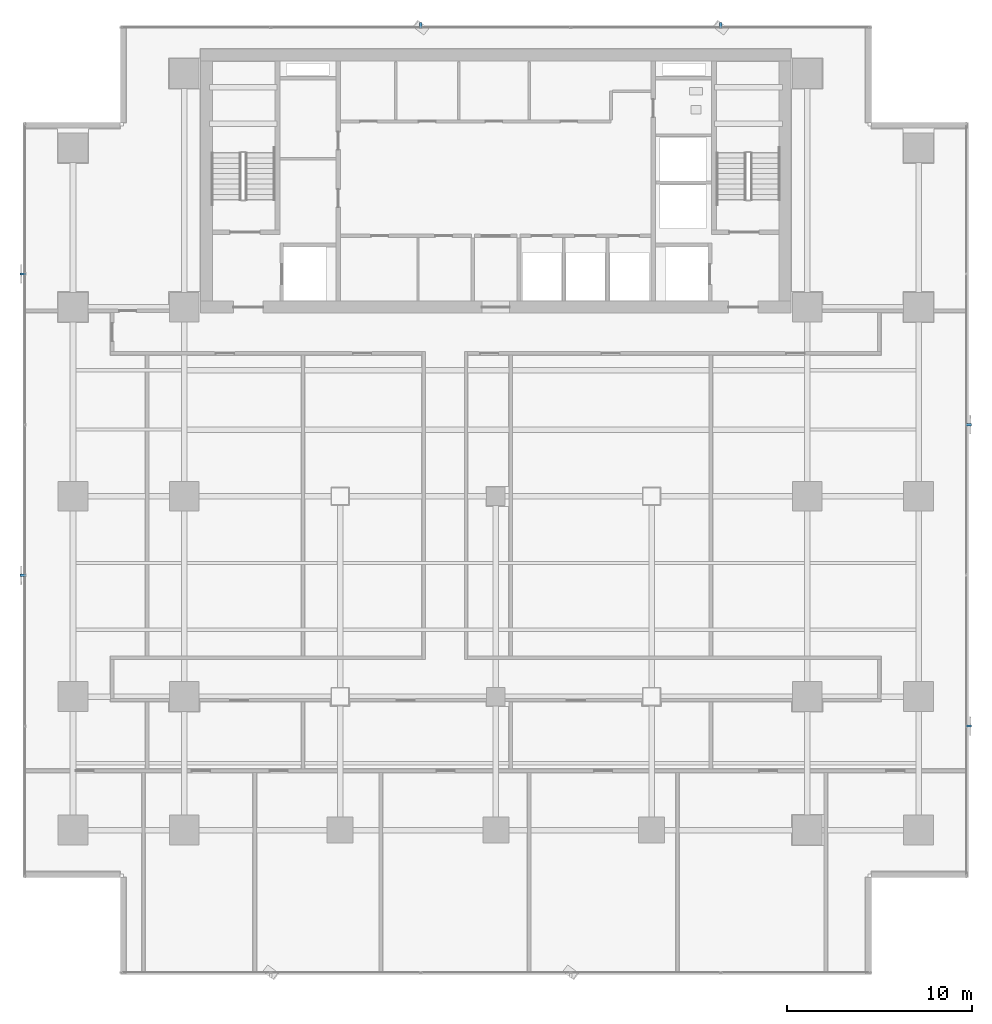
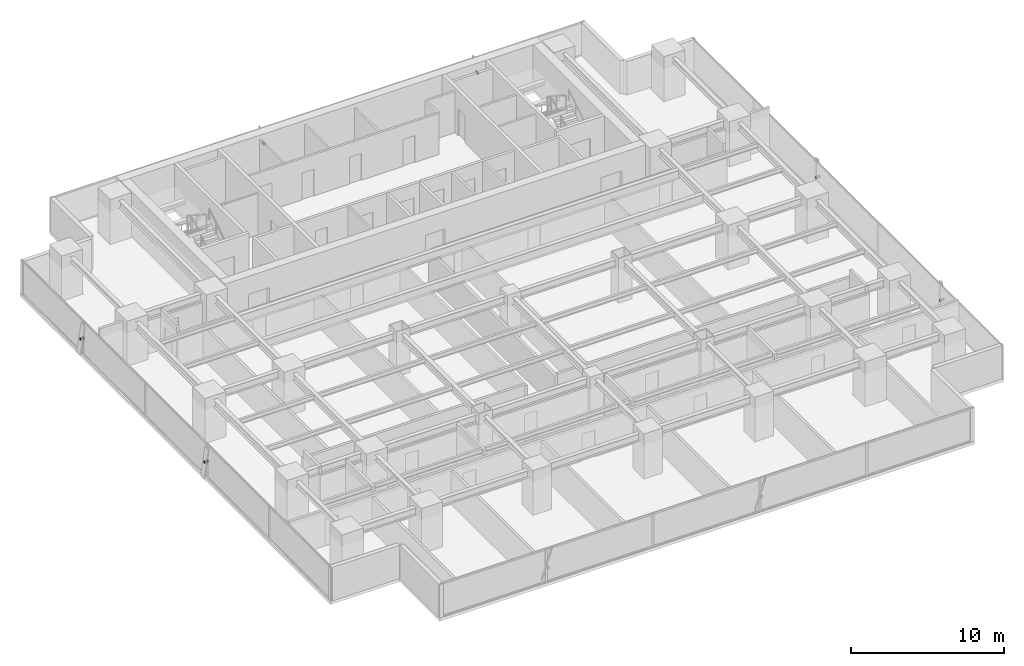
# One storey, part 31 of 36: 6 discrete accessories.
"""IFC4 building model written with IfcOpenShell, lengths in metres."""

from ifc_helpers import new_model, si_unit, direction, frame, origin, origin_2d, place, context, subcontext, project, spatial, rectangle, extrude, source, transform, mapped, material, material_profile, profile_set, type_object, element, save


model = new_model("IFC4")

# Units and contexts
model_context = context("Model", 3, precision=1e-05, world=origin(), true_north=direction((0.0, 1.0)))
body_context = subcontext(model_context, "Body", "Model", "MODEL_VIEW")
ifc_project = project(units=[si_unit("LENGTHUNIT", "METRE"), si_unit("AREAUNIT", "SQUARE_METRE"), si_unit("VOLUMEUNIT", "CUBIC_METRE"), si_unit("PLANEANGLEUNIT", "RADIAN"), si_unit("MASSUNIT", "GRAM", prefix="KILO")], contexts=[model_context])

# Site, building, storey
site_placement = place(None, origin())
site = spatial("IfcSite", under=ifc_project, at=site_placement, CompositionType="ELEMENT")
building_placement = place(site_placement, origin())
building = spatial("IfcBuilding", under=site, at=building_placement, Name="Sumidabori Civic Tower", CompositionType="ELEMENT")
storey_placement = place(building_placement, frame((0.0, 0.0, 120.800048828125)))
storey = spatial("IfcBuildingStorey", under=building, at=storey_placement, Name="L31", CompositionType="ELEMENT", Elevation=120.800048828125)

# Discrete accessories
ifc_material = material(Name="Stainless Steel Hairline Finish", Category="steel")
ifc_material_profile = material_profile(ifc_material, rectangle(XDim=0.1201171875, YDim=0.179931640625, at=origin_2d()), Name="STEEL BRACKET 180x120")
ifc_profile_set = profile_set([ifc_material_profile], Name="Stainless Steel Hairline Finish")
discrete_accessory_type = type_object("IfcDiscreteAccessoryType", Name="AC-BRK-180", PredefinedType="BRACKET", material=ifc_profile_set)
shared_shape_1 = source(origin(), body_context, "Body", "SweptSolid", [
    extrude(rectangle(XDim=0.1201171875, YDim=0.179931640625, at=origin_2d()), origin(), (0.0, 0.0, 1.0), 0.329833984375),
])
for number, where, z_axis, x_axis, name in (
    (1, (25.330078125, -12.39208984375, 1.329833984375), (1.0, 0.0, 0.0), (0.0, 1.0, 0.0), "Bronze Fin Fixing Bracket L31-01"),
    (2, (25.330078125, 3.864013671875, 1.329833984375), (1.0, 0.0, 0.0), (0.0, 1.0, 0.0), "Bronze Fin Fixing Bracket L31-03"),
    (3, (-25.330078125, 11.991943359375, 1.329833984375), (-1.0, 0.0, 0.0), (0.0, -1.0, 0.0), "Bronze Fin Fixing Bracket L31-01"),
    (4, (-25.330078125, -4.263916015625, 1.329833984375), (-1.0, 0.0, 0.0), (0.0, -1.0, 0.0), "Bronze Fin Fixing Bracket L31-03"),
):
    element("IfcDiscreteAccessory", number, at=place(storey_placement, frame(where, z_axis=z_axis, x_axis=x_axis)), inside=storey, type_object=discrete_accessory_type, Name=name, PredefinedType="BRACKET", context=body_context, shape_type="MappedRepresentation", body=[
        mapped(shared_shape_1, transform((0.0, 0.0, 0.0), x_axis=(1.0, 0.0, 0.0), y_axis=(0.0, 1.0, 0.0), z_axis=(0.0, 0.0, 1.0), scale=1.0)),
    ])
shared_shape_2 = source(origin(), body_context, "Body", "SweptSolid", [
    extrude(rectangle(XDim=0.1201171875, YDim=0.179931640625, at=origin_2d()), origin(), (0.0, 0.0, 1.0), 0.330078125),
])
for number, where, z_axis, x_axis, name in (
    (5, (12.132080078125, 25.22998046875, 1.329833984375), (0.0, 1.0, 0.0), (-1.0, 0.0, 0.0), "Bronze Fin Fixing Bracket L31-01"),
    (6, (-4.0439453125, 25.22998046875, 1.329833984375), (0.0, 1.0, 0.0), (-1.0, 0.0, 0.0), "Bronze Fin Fixing Bracket L31-03"),
):
    element("IfcDiscreteAccessory", number, at=place(storey_placement, frame(where, z_axis=z_axis, x_axis=x_axis)), inside=storey, type_object=discrete_accessory_type, Name=name, PredefinedType="BRACKET", context=body_context, shape_type="MappedRepresentation", body=[
        mapped(shared_shape_2, transform((0.0, 0.0, 0.0), x_axis=(1.0, 0.0, 0.0), y_axis=(0.0, 1.0, 0.0), z_axis=(0.0, 0.0, 1.0), scale=1.0)),
    ])

save(model, "model.ifc")
